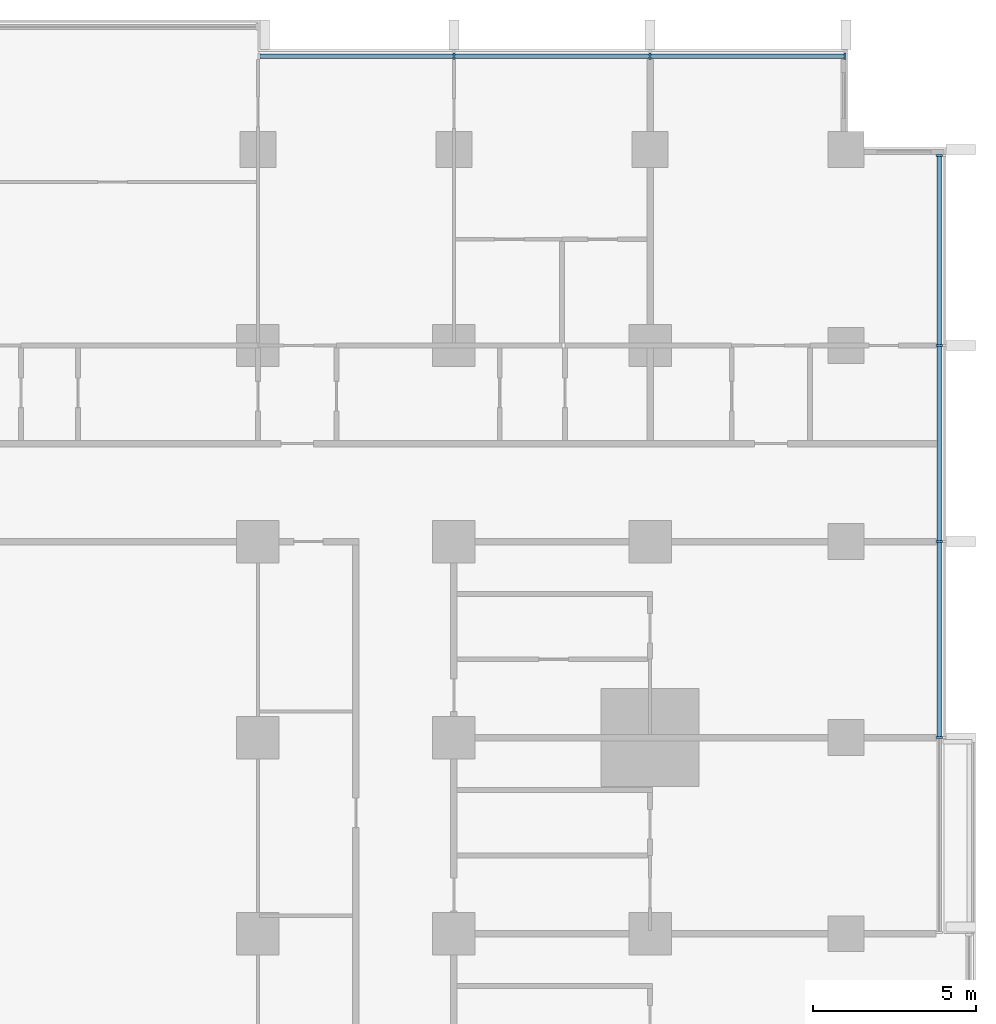
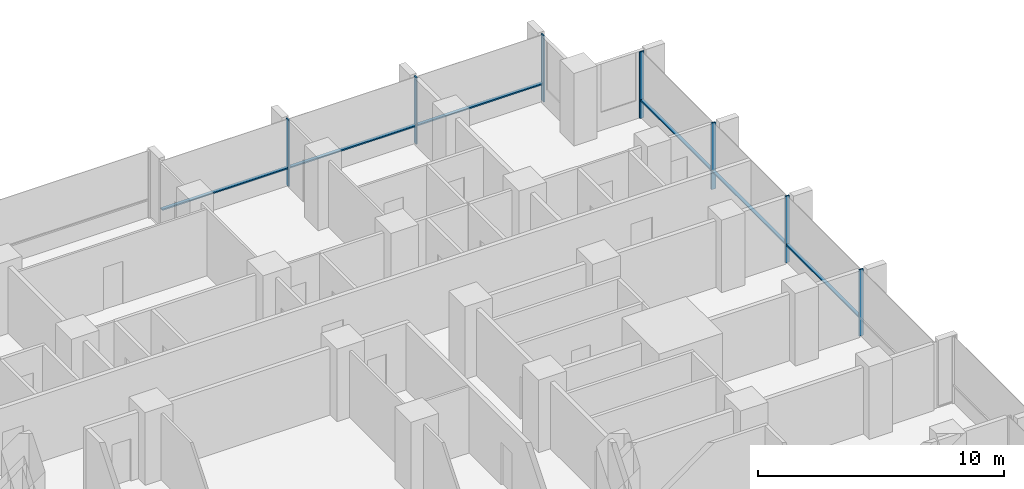
# One storey, part 5 of 18: 13 members, 2 elements without a shape of their own.
"""IFC4 building model written with IfcOpenShell, lengths in metres."""

from ifc_helpers import new_model, si_unit, direction, frame, origin, origin_2d, place, context, subcontext, project, spatial, rectangle, extrude, material, material_profile, profile_set, type_object, element, aggregate, save


model = new_model("IFC4")

# Units and contexts
model_context = context("Model", 3, precision=1e-05, world=origin(), true_north=direction((0.0, 1.0)))
body_context = subcontext(model_context, "Body", "Model", "MODEL_VIEW")
ifc_project = project(units=[si_unit("LENGTHUNIT", "METRE"), si_unit("AREAUNIT", "SQUARE_METRE"), si_unit("VOLUMEUNIT", "CUBIC_METRE"), si_unit("PLANEANGLEUNIT", "RADIAN"), si_unit("MASSUNIT", "GRAM", prefix="KILO")], contexts=[model_context])

# Site, building, storey
site_placement = place(None, origin())
site = spatial("IfcSite", under=ifc_project, at=site_placement, CompositionType="ELEMENT")
building_placement = place(site_placement, origin())
building = spatial("IfcBuilding", under=site, at=building_placement, Name="Finial Court Residences", CompositionType="ELEMENT")
storey_placement = place(building_placement, frame((0.0, 0.0, 43.300048828125)))
storey = spatial("IfcBuildingStorey", under=building, at=storey_placement, Name="L09", CompositionType="ELEMENT", Elevation=43.300048828125)

# Curtain wall, members
ifc_material = material(Name="Bronze anodised aluminium", Category="aluminium")
curtain_wall_type = type_object("IfcCurtainWallType", Name="Unitised curtain wall, lower and middle zones", PredefinedType="NOTDEFINED", material=ifc_material)
curtain_wall_1_placement = place(storey_placement, origin())
curtain_wall_1 = element("IfcCurtainWall", 1, at=curtain_wall_1_placement, inside=storey, type_object=curtain_wall_type, Name="E-L09-CW-N3", PredefinedType="NOTDEFINED")
ifc_material_profile_1 = material_profile(ifc_material, rectangle(XDim=0.199951171875, YDim=0.06494140625, at=origin_2d()), Name="CW1 mullion 65 x 200")
ifc_profile_set_1 = profile_set([ifc_material_profile_1], Name="Bronze anodised aluminium")
member_type_1 = type_object("IfcMemberType", Name="CW1 mullion 65 x 200", PredefinedType="MULLION", material=ifc_profile_set_1)
member_1_placement = place(storey_placement, frame((10.5, 28.35009765625, 0.0), z_axis=(0.0, 0.0, 1.0), x_axis=(0.0, 1.0, 0.0)))
member_1 = element("IfcMember", 2, at=member_1_placement, type_object=member_type_1, Name="CW1 mullion 2", PredefinedType="MULLION", context=body_context, shape_type="SweptSolid", body=[
    extrude(rectangle(XDim=0.199951171875, YDim=0.06494140625, at=origin_2d()), origin(), (0.0, 0.0, 1.0), 3.300048828125),
])
member_2_placement = place(storey_placement, frame((16.5, 28.35009765625, 0.0), z_axis=(0.0, 0.0, 1.0), x_axis=(0.0, 1.0, 0.0)))
member_2 = element("IfcMember", 3, at=member_2_placement, type_object=member_type_1, Name="CW1 mullion 3", PredefinedType="MULLION", context=body_context, shape_type="SweptSolid", body=[
    extrude(rectangle(XDim=0.199951171875, YDim=0.06494140625, at=origin_2d()), origin(), (0.0, 0.0, 1.0), 3.300048828125),
])
member_3_placement = place(storey_placement, frame((22.467529296875, 28.35009765625, 0.0), z_axis=(0.0, 0.0, 1.0), x_axis=(0.0, 1.0, 0.0)))
member_3 = element("IfcMember", 4, at=member_3_placement, type_object=member_type_1, Name="CW1 mullion 4", PredefinedType="MULLION", context=body_context, shape_type="SweptSolid", body=[
    extrude(rectangle(XDim=0.199951171875, YDim=0.06494140625, at=origin_2d()), origin(), (0.0, 0.0, 1.0), 3.300048828125),
])

curtain_wall_2_placement = place(storey_placement, origin())
curtain_wall_2 = element("IfcCurtainWall", 5, at=curtain_wall_2_placement, inside=storey, type_object=curtain_wall_type, Name="E-L09-CW-E6", PredefinedType="NOTDEFINED")
member_4_placement = place(storey_placement, frame((25.35009765625, 7.5, 0.0), z_axis=(0.0, 0.0, 1.0), x_axis=(-1.0, 0.0, 0.0)))
member_4 = element("IfcMember", 6, at=member_4_placement, type_object=member_type_1, Name="CW1 mullion 2", PredefinedType="MULLION", context=body_context, shape_type="SweptSolid", body=[
    extrude(rectangle(XDim=0.199951171875, YDim=0.06494140625, at=origin_2d()), origin(), (0.0, 0.0, 1.0), 3.300048828125),
])
member_5_placement = place(storey_placement, frame((25.35009765625, 13.5, 0.0), z_axis=(0.0, 0.0, 1.0), x_axis=(-1.0, 0.0, 0.0)))
member_5 = element("IfcMember", 7, at=member_5_placement, type_object=member_type_1, Name="CW1 mullion 3", PredefinedType="MULLION", context=body_context, shape_type="SweptSolid", body=[
    extrude(rectangle(XDim=0.199951171875, YDim=0.06494140625, at=origin_2d()), origin(), (0.0, 0.0, 1.0), 3.300048828125),
])
member_6_placement = place(storey_placement, frame((25.35009765625, 19.5, 0.0), z_axis=(0.0, 0.0, 1.0), x_axis=(-1.0, 0.0, 0.0)))
member_6 = element("IfcMember", 8, at=member_6_placement, type_object=member_type_1, Name="CW1 mullion 4", PredefinedType="MULLION", context=body_context, shape_type="SweptSolid", body=[
    extrude(rectangle(XDim=0.199951171875, YDim=0.06494140625, at=origin_2d()), origin(), (0.0, 0.0, 1.0), 3.300048828125),
])
member_7_placement = place(storey_placement, frame((25.35009765625, 25.3173828125, 0.0), z_axis=(0.0, 0.0, 1.0), x_axis=(-1.0, 0.0, 0.0)))
member_7 = element("IfcMember", 9, at=member_7_placement, type_object=member_type_1, Name="CW1 mullion 5", PredefinedType="MULLION", context=body_context, shape_type="SweptSolid", body=[
    extrude(rectangle(XDim=0.199951171875, YDim=0.06494140625, at=origin_2d()), origin(), (0.0, 0.0, 1.0), 3.300048828125),
])

# Member
ifc_material_profile_2 = material_profile(ifc_material, rectangle(XDim=0.14990234375, YDim=0.06494140625, at=origin_2d()), Name="CW1 transom 65 x 150")
ifc_profile_set_2 = profile_set([ifc_material_profile_2], Name="Bronze anodised aluminium")
member_type_2 = type_object("IfcMemberType", Name="CW1 transom 65 x 150", PredefinedType="USERDEFINED", material=ifc_profile_set_2)
member_8_placement = place(storey_placement, frame((4.56494140625, 28.35009765625, 0.89990234375), z_axis=(1.0, 0.0, 0.0), x_axis=(0.0, 1.0, 0.0)))
member_8 = element("IfcMember", 10, at=member_8_placement, type_object=member_type_2, Name="CW1 transom 1.1", ObjectType="TRANSOM", PredefinedType="USERDEFINED", context=body_context, shape_type="SweptSolid", body=[
    extrude(rectangle(XDim=0.14990234375, YDim=0.06494140625, at=origin_2d()), origin(), (0.0, 0.0, 1.0), 5.902587890625),
])

member_9_placement = place(storey_placement, frame((10.532470703125, 28.35009765625, 0.89990234375), z_axis=(1.0, 0.0, 0.0), x_axis=(0.0, 1.0, 0.0)))
member_9 = element("IfcMember", 11, at=member_9_placement, type_object=member_type_2, Name="CW1 transom 2.1", ObjectType="TRANSOM", PredefinedType="USERDEFINED", context=body_context, shape_type="SweptSolid", body=[
    extrude(rectangle(XDim=0.14990234375, YDim=0.06494140625, at=origin_2d()), origin(), (0.0, 0.0, 1.0), 5.93505859375),
])

member_10_placement = place(storey_placement, frame((16.532470703125, 28.35009765625, 0.89990234375), z_axis=(1.0, 0.0, 0.0), x_axis=(0.0, 1.0, 0.0)))
member_10 = element("IfcMember", 12, at=member_10_placement, type_object=member_type_2, Name="CW1 transom 3.1", ObjectType="TRANSOM", PredefinedType="USERDEFINED", context=body_context, shape_type="SweptSolid", body=[
    extrude(rectangle(XDim=0.14990234375, YDim=0.06494140625, at=origin_2d()), origin(), (0.0, 0.0, 1.0), 5.902587890625),
])

aggregate(curtain_wall_1, [member_1, member_2, member_3, member_8, member_9, member_10])

member_11_placement = place(storey_placement, frame((25.35009765625, 7.532470703125, 0.89990234375), z_axis=(0.0, 1.0, 0.0), x_axis=(-1.0, 0.0, 0.0)))
member_11 = element("IfcMember", 13, at=member_11_placement, type_object=member_type_2, Name="CW1 transom 2.1", ObjectType="TRANSOM", PredefinedType="USERDEFINED", context=body_context, shape_type="SweptSolid", body=[
    extrude(rectangle(XDim=0.14990234375, YDim=0.06494140625, at=origin_2d()), origin(), (0.0, 0.0, 1.0), 5.93505859375),
])

member_12_placement = place(storey_placement, frame((25.35009765625, 13.532470703125, 0.89990234375), z_axis=(0.0, 1.0, 0.0), x_axis=(-1.0, 0.0, 0.0)))
member_12 = element("IfcMember", 14, at=member_12_placement, type_object=member_type_2, Name="CW1 transom 3.1", ObjectType="TRANSOM", PredefinedType="USERDEFINED", context=body_context, shape_type="SweptSolid", body=[
    extrude(rectangle(XDim=0.14990234375, YDim=0.06494140625, at=origin_2d()), origin(), (0.0, 0.0, 1.0), 5.93505859375),
])

member_13_placement = place(storey_placement, frame((25.35009765625, 19.532470703125, 0.89990234375), z_axis=(0.0, 1.0, 0.0), x_axis=(-1.0, 0.0, 0.0)))
member_13 = element("IfcMember", 15, at=member_13_placement, type_object=member_type_2, Name="CW1 transom 4.1", ObjectType="TRANSOM", PredefinedType="USERDEFINED", context=body_context, shape_type="SweptSolid", body=[
    extrude(rectangle(XDim=0.14990234375, YDim=0.06494140625, at=origin_2d()), origin(), (0.0, 0.0, 1.0), 5.75244140625),
])

aggregate(curtain_wall_2, [member_4, member_5, member_6, member_7, member_11, member_12, member_13])

save(model, "model.ifc")
